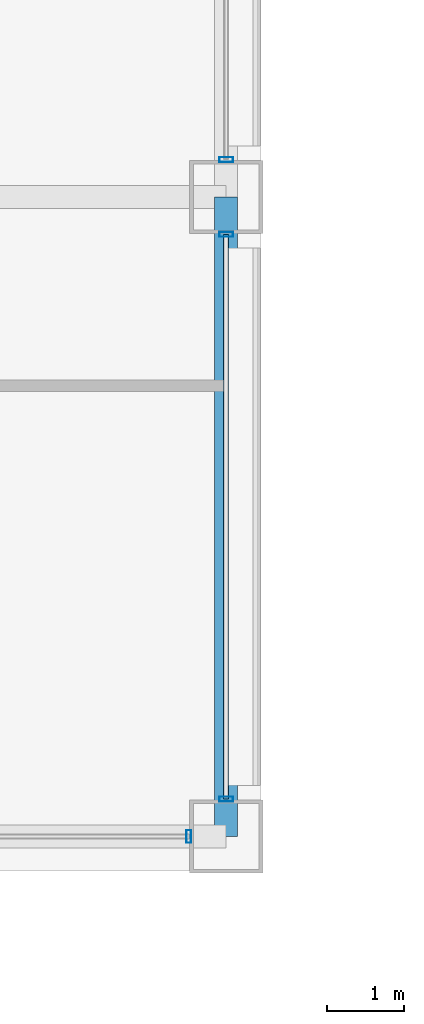
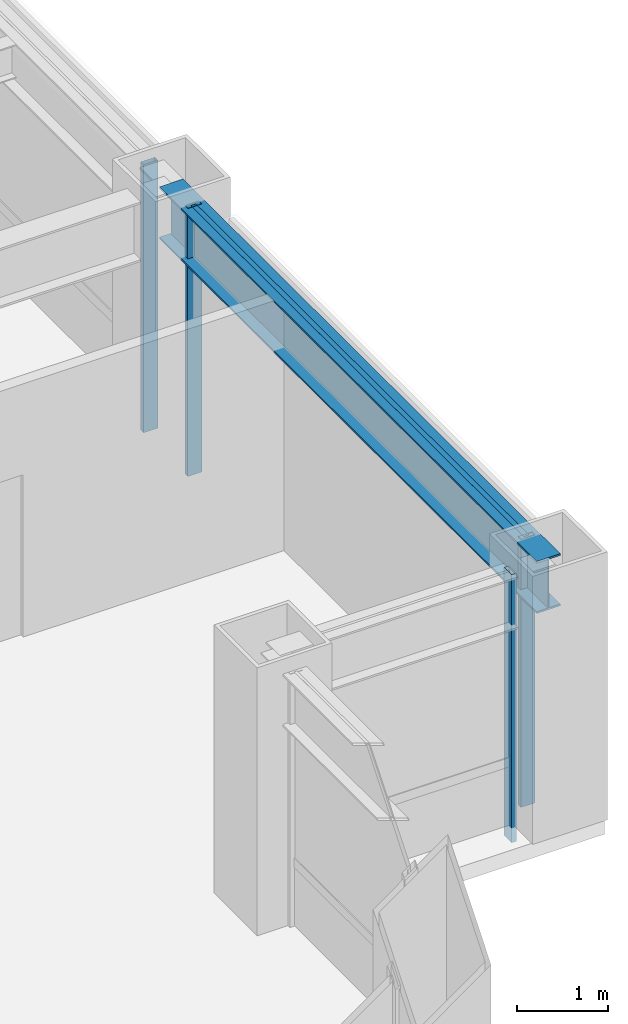
# One storey, part 12 of 31: 5 members, 1 beam, 3 elements without a shape of their own.
"""IFC4 building model written with IfcOpenShell, lengths in metres."""

from ifc_helpers import new_model, si_unit, direction, frame, origin, origin_2d, place, context, subcontext, project, spatial, hollow_rectangle, i_section, extrude, material, layer, layer_set, material_profile, profile_set, type_object, element, aggregate, save


model = new_model("IFC4")

# Units and contexts
model_context = context("Model", 3, precision=1e-05, world=origin(), true_north=direction((0.0, 1.0)))
body_context = subcontext(model_context, "Body", "Model", "MODEL_VIEW")
ifc_project = project(units=[si_unit("LENGTHUNIT", "METRE"), si_unit("AREAUNIT", "SQUARE_METRE"), si_unit("VOLUMEUNIT", "CUBIC_METRE"), si_unit("PLANEANGLEUNIT", "RADIAN"), si_unit("MASSUNIT", "GRAM", prefix="KILO")], contexts=[model_context])

# Site, building, storey
site_placement = place(None, origin())
site = spatial("IfcSite", under=ifc_project, at=site_placement, CompositionType="ELEMENT")
building_placement = place(site_placement, origin())
building = spatial("IfcBuilding", under=site, at=building_placement, Name="Brelmoor Portico Tower", CompositionType="ELEMENT")
storey_placement = place(building_placement, frame((0.0, 0.0, 27.60009765625)))
storey = spatial("IfcBuildingStorey", under=building, at=storey_placement, Name="L06", CompositionType="ELEMENT", Elevation=27.60009765625)

# Beam
ifc_material_1 = material(Name="Steel Q355B", Category="steel")
ifc_material_profile_1 = material_profile(ifc_material_1, i_section(OverallWidth=0.300048828125, OverallDepth=0.699951171875, WebThickness=0.012939453125, FlangeThickness=0.02392578125, at=origin_2d()), Name="HN 700x300x13x24")
ifc_profile_set_1 = profile_set([ifc_material_profile_1], Name="Steel Q355B")
beam_type = type_object("IfcBeamType", Name="BM-SP-700", PredefinedType="SPANDREL", material=ifc_profile_set_1)
beam_placement = place(storey_placement, frame((24.550048828125, -18.050048828125, 3.0498046875), z_axis=(0.0, 1.0, 0.0), x_axis=(-1.0, 0.0, 0.0)))
element("IfcBeam", 1, at=beam_placement, inside=storey, type_object=beam_type, Name="L06 Perimeter Spandrel Beam SP-22", PredefinedType="SPANDREL", context=body_context, shape_type="SweptSolid", body=[
    extrude(i_section(OverallWidth=0.300048828125, OverallDepth=0.699951171875, WebThickness=0.012939453125, FlangeThickness=0.02392578125, at=origin_2d()), origin(), (0.0, 0.0, 1.0), 8.300048828125),
])

# Curtain wall, member
ifc_material_2 = material(Name="Anodised Aluminium Alloy 6063-T6", Category="aluminium")
ifc_layer_1 = layer(ifc_material_2, 0.179931640625)
ifc_layer_set_1 = layer_set([ifc_layer_1], Name="Anodised Aluminium Alloy 6063-T6")
curtain_wall_type_1 = type_object("IfcCurtainWallType", Name="CW-NOTCH-CHAMFER", PredefinedType="NOTDEFINED", material=ifc_layer_set_1)
curtain_wall_1_placement = place(storey_placement, origin())
curtain_wall_1 = element("IfcCurtainWall", 2, at=curtain_wall_1_placement, inside=storey, type_object=curtain_wall_type_1, Name="L06 Curtain Wall CWN-L06-SEH", PredefinedType="NOTDEFINED")
ifc_material_profile_2 = material_profile(ifc_material_2, hollow_rectangle(XDim=0.06494140625, YDim=0.1650390625, WallThickness=0.00390625, at=origin_2d()), Name="ALU MULLION 65x165")
ifc_profile_set_2 = profile_set([ifc_material_profile_2], Name="Anodised Aluminium Alloy 6063-T6")
member_type_1 = type_object("IfcMemberType", Name="MB-CW-MULL-165", PredefinedType="MULLION", material=ifc_profile_set_2)
member_1_placement = place(storey_placement, frame((24.06494140625, -18.050048828125, -0.2001953125), z_axis=(0.0, 0.0, 1.0), x_axis=(1.0, 0.0, 0.0)))
member_1 = element("IfcMember", 3, at=member_1_placement, type_object=member_type_1, Name="CWN-L06-SEH Mullion 01", PredefinedType="MULLION", context=body_context, shape_type="SweptSolid", body=[
    extrude(hollow_rectangle(XDim=0.06494140625, YDim=0.1650390625, WallThickness=0.00390625, at=origin_2d()), origin(), (0.0, 0.0, 1.0), 3.60009765625),
])
aggregate(curtain_wall_1, [member_1])

# Curtain wall, members
ifc_layer_2 = layer(ifc_material_2, 0.179931640625)
ifc_layer_set_2 = layer_set([ifc_layer_2], Name="Anodised Aluminium Alloy 6063-T6")
curtain_wall_type_2 = type_object("IfcCurtainWallType", Name="CW-TOWER-Z1-XB", PredefinedType="NOTDEFINED", material=ifc_layer_set_2)
curtain_wall_2_placement = place(storey_placement, origin())
curtain_wall_2 = element("IfcCurtainWall", 4, at=curtain_wall_2_placement, inside=storey, type_object=curtain_wall_type_2, Name="L06 Curtain Wall CW-L06-4L-1", PredefinedType="NOTDEFINED")
ifc_material_profile_3 = material_profile(ifc_material_2, hollow_rectangle(XDim=0.06494140625, YDim=0.179931640625, WallThickness=0.00390625, at=origin_2d()), Name="ALU MULLION 65x180")
ifc_profile_set_3 = profile_set([ifc_material_profile_3], Name="Anodised Aluminium Alloy 6063-T6")
member_type_2 = type_object("IfcMemberType", Name="MB-CW-MULL-180", PredefinedType="MULLION", material=ifc_profile_set_3)
member_2_placement = place(storey_placement, frame((24.550048828125, -17.56494140625, -0.2001953125), z_axis=(0.0, 0.0, 1.0), x_axis=(0.0, 1.0, 0.0)))
member_2 = element("IfcMember", 5, at=member_2_placement, type_object=member_type_2, Name="CW-L06-4L-1 Mullion 00", PredefinedType="MULLION", context=body_context, shape_type="SweptSolid", body=[
    extrude(hollow_rectangle(XDim=0.06494140625, YDim=0.179931640625, WallThickness=0.00390625, at=origin_2d()), origin(), (0.0, 0.0, 1.0), 3.60009765625),
])
member_3_placement = place(storey_placement, frame((24.550048828125, -10.235107421875, -0.2001953125), z_axis=(0.0, 0.0, 1.0), x_axis=(0.0, 1.0, 0.0)))
member_3 = element("IfcMember", 6, at=member_3_placement, type_object=member_type_2, Name="CW-L06-4L-1 Mullion 01", PredefinedType="MULLION", context=body_context, shape_type="SweptSolid", body=[
    extrude(hollow_rectangle(XDim=0.06494140625, YDim=0.179931640625, WallThickness=0.00390625, at=origin_2d()), origin(), (0.0, 0.0, 1.0), 3.60009765625),
])

# Curtain wall, member
ifc_layer_3 = layer(ifc_material_2, 0.179931640625)
ifc_layer_set_3 = layer_set([ifc_layer_3], Name="Anodised Aluminium Alloy 6063-T6")
curtain_wall_type_3 = type_object("IfcCurtainWallType", Name="CW-TOWER-Z1", PredefinedType="NOTDEFINED", material=ifc_layer_set_3)
curtain_wall_3_placement = place(storey_placement, origin())
curtain_wall_3 = element("IfcCurtainWall", 7, at=curtain_wall_3_placement, inside=storey, type_object=curtain_wall_type_3, Name="L06 Curtain Wall CW-L06-4L-2", PredefinedType="NOTDEFINED")
member_4_placement = place(storey_placement, frame((24.550048828125, -9.264892578125, -0.2001953125), z_axis=(0.0, 0.0, 1.0), x_axis=(0.0, 1.0, 0.0)))
member_4 = element("IfcMember", 8, at=member_4_placement, type_object=member_type_2, Name="CW-L06-4L-2 Mullion 00", PredefinedType="MULLION", context=body_context, shape_type="SweptSolid", body=[
    extrude(hollow_rectangle(XDim=0.06494140625, YDim=0.179931640625, WallThickness=0.00390625, at=origin_2d()), origin(), (0.0, 0.0, 1.0), 3.60009765625),
])
aggregate(curtain_wall_3, [member_4])

# Member
ifc_material_profile_4 = material_profile(ifc_material_2, hollow_rectangle(XDim=0.06494140625, YDim=0.139892578125, WallThickness=0.00390625, at=origin_2d()), Name="ALU TRANSOM 65x140")
ifc_profile_set_4 = profile_set([ifc_material_profile_4], Name="Anodised Aluminium Alloy 6063-T6")
member_type_3 = type_object("IfcMemberType", Name="MB-CW-TRAN-140", PredefinedType="USERDEFINED", material=ifc_profile_set_4)
member_5_placement = place(storey_placement, frame((24.550048828125, -17.56494140625, 3.329833984375), z_axis=(0.0, 1.0, 0.0), x_axis=(-1.0, 0.0, 0.0)))
member_5 = element("IfcMember", 9, at=member_5_placement, type_object=member_type_3, Name="CW-L06-4L-1 Transom 1-00", ObjectType="TRANSOM", PredefinedType="USERDEFINED", context=body_context, shape_type="SweptSolid", body=[
    extrude(hollow_rectangle(XDim=0.06494140625, YDim=0.139892578125, WallThickness=0.00390625, at=origin_2d()), origin(), (0.0, 0.0, 1.0), 7.329833984375),
])

aggregate(curtain_wall_2, [member_2, member_3, member_5])

save(model, "model.ifc")
